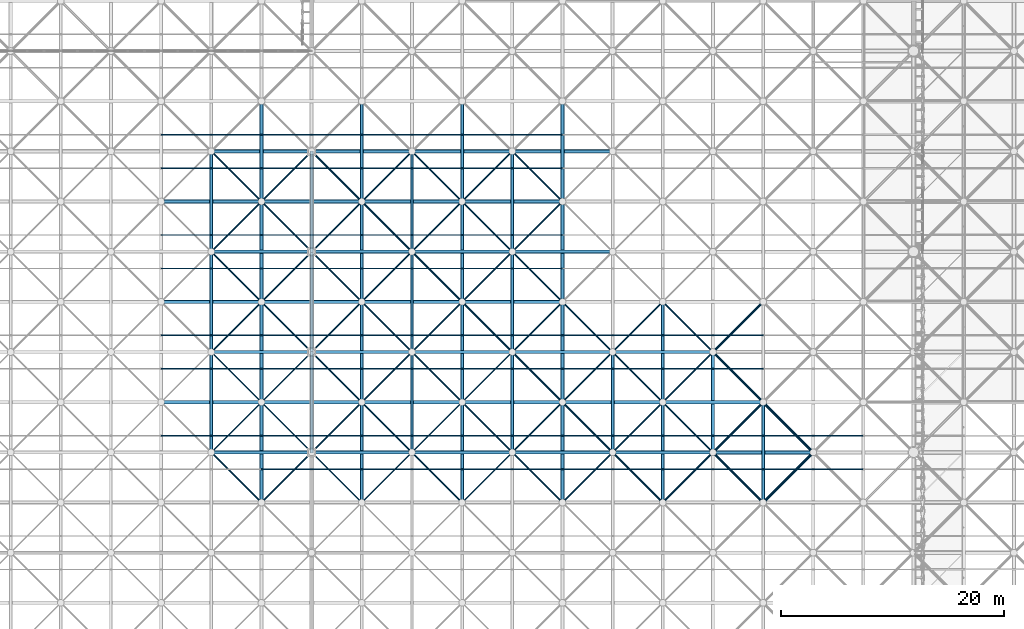
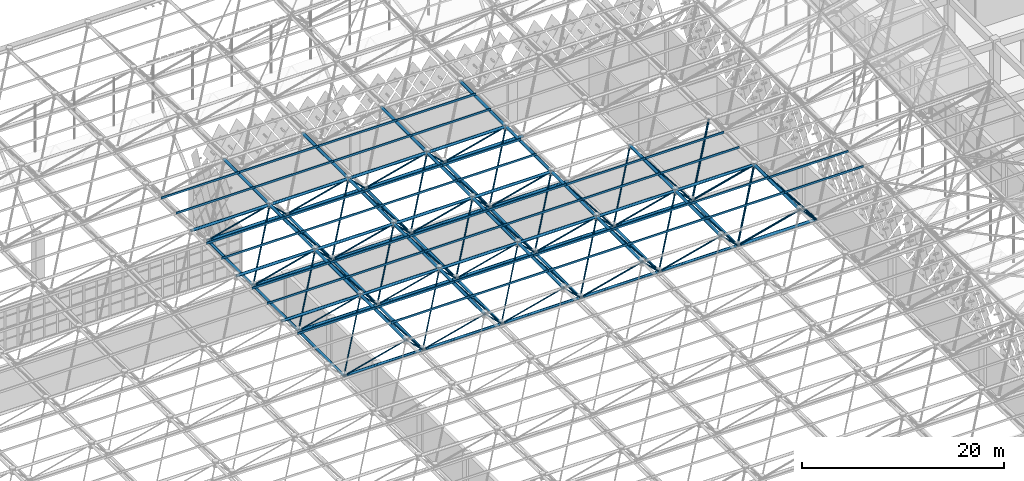
# One storey, part 95 of 437: 174 members.
"""IFC4 building model written with IfcOpenShell, lengths in metres."""

from ifc_helpers import new_model, si_unit, direction, frame, origin, origin_2d, place, context, subcontext, project, spatial, polyline, hollow_circle, outline, extrude, material, material_profile, profile_set, type_object, element, save


model = new_model("IFC4")

# Units and contexts
model_context = context("Model", 3, precision=1e-05, world=origin(), true_north=direction((0.0, 1.0)))
body_context = subcontext(model_context, "Body", "Model", "MODEL_VIEW")
ifc_project = project(units=[si_unit("LENGTHUNIT", "METRE"), si_unit("AREAUNIT", "SQUARE_METRE"), si_unit("VOLUMEUNIT", "CUBIC_METRE"), si_unit("PLANEANGLEUNIT", "RADIAN"), si_unit("MASSUNIT", "GRAM", prefix="KILO")], contexts=[model_context])

# Site, building, storey
site_placement = place(None, origin())
site = spatial("IfcSite", under=ifc_project, at=site_placement, CompositionType="ELEMENT")
building_placement = place(site_placement, origin())
building = spatial("IfcBuilding", under=site, at=building_placement, Name="Opaline Strait Convention Centre", CompositionType="ELEMENT")
storey_placement = place(building_placement, frame((0.0, 0.0, 11.5)))
storey = spatial("IfcBuildingStorey", under=building, at=storey_placement, Name="L02", CompositionType="ELEMENT", Elevation=11.5)

# Members
ifc_material = material(Name="Steel Q355B", Category="steel")
ifc_material_profile_1 = material_profile(ifc_material, outline(polyline([(-0.03759765625, -0.125), (0.03759765625, -0.125), (0.03759765625, -0.10498046875), (0.034912109375, -0.10498046875), (0.034912109375, -0.12255859375), (-0.034912109375, -0.12255859375), (-0.034912109375, 0.12255859375), (0.034912109375, 0.12255859375), (0.034912109375, 0.10498046875), (0.03759765625, 0.10498046875), (0.03759765625, 0.125), (-0.03759765625, 0.125), (-0.03759765625, -0.125)])), Name="C 250x75x20x2.5")
ifc_profile_set_1 = profile_set([ifc_material_profile_1], Name="Steel Q355B")
member_type_1 = type_object("IfcMemberType", Name="Roof purlin C 250x75x20x2.5", PredefinedType="PURLIN", material=ifc_profile_set_1)
for number, where, z_axis, x_axis, name in (
    (1, (193.5, 109.5, 18.257080078125), (1.0, 0.0, 0.0), (0.0, 1.0, 0.0), "EXB-RF-P-12-7-1"),
    (2, (202.5, 106.5, 18.257080078125), (1.0, 0.0, 0.0), (0.0, 1.0, 0.0), "EXB-RF-P-13-7-0"),
    (3, (202.5, 109.5, 18.257080078125), (1.0, 0.0, 0.0), (0.0, 1.0, 0.0), "EXB-RF-P-13-7-1"),
    (4, (211.5, 106.5, 18.257080078125), (1.0, 0.0, 0.0), (0.0, 1.0, 0.0), "EXB-RF-P-14-7-0"),
    (5, (211.5, 109.5, 18.257080078125), (1.0, 0.0, 0.0), (0.0, 1.0, 0.0), "EXB-RF-P-14-7-1"),
    (6, (220.5, 106.5, 18.257080078125), (1.0, 0.0, 0.0), (0.0, 1.0, 0.0), "EXB-RF-P-15-7-0"),
    (7, (220.5, 109.5, 18.257080078125), (1.0, 0.0, 0.0), (0.0, 1.0, 0.0), "EXB-RF-P-15-7-1"),
    (8, (229.5, 106.5, 18.257080078125), (1.0, 0.0, 0.0), (0.0, 1.0, 0.0), "EXB-RF-P-16-7-0"),
    (9, (229.5, 109.5, 18.257080078125), (1.0, 0.0, 0.0), (0.0, 1.0, 0.0), "EXB-RF-P-16-7-1"),
    (10, (238.5, 106.5, 18.257080078125), (1.0, 0.0, 0.0), (0.0, 1.0, 0.0), "EXB-RF-P-17-7-0"),
    (11, (238.5, 109.5, 18.257080078125), (1.0, 0.0, 0.0), (0.0, 1.0, 0.0), "EXB-RF-P-17-7-1"),
    (12, (247.5, 106.5, 18.257080078125), (1.0, 0.0, 0.0), (0.0, 1.0, 0.0), "EXB-RF-P-18-7-0"),
    (13, (247.5, 109.5, 18.257080078125), (1.0, 0.0, 0.0), (0.0, 1.0, 0.0), "EXB-RF-P-18-7-1"),
    (14, (193.5, 115.5, 18.257080078125), (1.0, 0.0, 0.0), (0.0, 1.0, 0.0), "EXB-RF-P-12-8-0"),
    (15, (193.5, 118.5, 18.257080078125), (1.0, 0.0, 0.0), (0.0, 1.0, 0.0), "EXB-RF-P-12-8-1"),
    (16, (202.5, 115.5, 18.257080078125), (1.0, 0.0, 0.0), (0.0, 1.0, 0.0), "EXB-RF-P-13-8-0"),
    (17, (202.5, 118.5, 18.257080078125), (1.0, 0.0, 0.0), (0.0, 1.0, 0.0), "EXB-RF-P-13-8-1"),
    (18, (211.5, 115.5, 18.257080078125), (1.0, 0.0, 0.0), (0.0, 1.0, 0.0), "EXB-RF-P-14-8-0"),
    (19, (211.5, 118.5, 18.257080078125), (1.0, 0.0, 0.0), (0.0, 1.0, 0.0), "EXB-RF-P-14-8-1"),
    (20, (220.5, 115.5, 18.257080078125), (1.0, 0.0, 0.0), (0.0, 1.0, 0.0), "EXB-RF-P-15-8-0"),
    (21, (220.5, 118.5, 18.257080078125), (1.0, 0.0, 0.0), (0.0, 1.0, 0.0), "EXB-RF-P-15-8-1"),
    (22, (229.5, 115.5, 18.257080078125), (1.0, 0.0, 0.0), (0.0, 1.0, 0.0), "EXB-RF-P-16-8-0"),
    (23, (229.5, 118.5, 18.257080078125), (1.0, 0.0, 0.0), (0.0, 1.0, 0.0), "EXB-RF-P-16-8-1"),
    (24, (238.5, 115.5, 18.257080078125), (1.0, 0.0, 0.0), (0.0, 1.0, 0.0), "EXB-RF-P-17-8-0"),
    (25, (238.5, 118.5, 18.257080078125), (1.0, 0.0, 0.0), (0.0, 1.0, 0.0), "EXB-RF-P-17-8-1"),
    (26, (193.5, 124.5, 18.257080078125), (1.0, 0.0, 0.0), (0.0, 1.0, 0.0), "EXB-RF-P-12-9-0"),
    (27, (193.5, 127.5, 18.257080078125), (1.0, 0.0, 0.0), (0.0, 1.0, 0.0), "EXB-RF-P-12-9-1"),
    (28, (202.5, 124.5, 18.257080078125), (1.0, 0.0, 0.0), (0.0, 1.0, 0.0), "EXB-RF-P-13-9-0"),
    (29, (202.5, 127.5, 18.257080078125), (1.0, 0.0, 0.0), (0.0, 1.0, 0.0), "EXB-RF-P-13-9-1"),
    (30, (211.5, 124.5, 18.257080078125), (1.0, 0.0, 0.0), (0.0, 1.0, 0.0), "EXB-RF-P-14-9-0"),
    (31, (211.5, 127.5, 18.257080078125), (1.0, 0.0, 0.0), (0.0, 1.0, 0.0), "EXB-RF-P-14-9-1"),
    (32, (220.5, 124.5, 18.257080078125), (1.0, 0.0, 0.0), (0.0, 1.0, 0.0), "EXB-RF-P-15-9-0"),
    (33, (220.5, 127.5, 18.257080078125), (1.0, 0.0, 0.0), (0.0, 1.0, 0.0), "EXB-RF-P-15-9-1"),
    (34, (193.5, 133.5, 18.257080078125), (1.0, 0.0, 0.0), (0.0, 1.0, 0.0), "EXB-RF-P-12-10-0"),
    (35, (193.5, 136.5, 18.257080078125), (1.0, 0.0, 0.0), (0.0, 1.0, 0.0), "EXB-RF-P-12-10-1"),
    (36, (202.5, 133.5, 18.257080078125), (1.0, 0.0, 0.0), (0.0, 1.0, 0.0), "EXB-RF-P-13-10-0"),
    (37, (202.5, 136.5, 18.257080078125), (1.0, 0.0, 0.0), (0.0, 1.0, 0.0), "EXB-RF-P-13-10-1"),
    (38, (211.5, 133.5, 18.257080078125), (1.0, 0.0, 0.0), (0.0, 1.0, 0.0), "EXB-RF-P-14-10-0"),
    (39, (211.5, 136.5, 18.257080078125), (1.0, 0.0, 0.0), (0.0, 1.0, 0.0), "EXB-RF-P-14-10-1"),
    (40, (220.5, 133.5, 18.257080078125), (1.0, 0.0, 0.0), (0.0, 1.0, 0.0), "EXB-RF-P-15-10-0"),
    (41, (220.5, 136.5, 18.257080078125), (1.0, 0.0, 0.0), (0.0, 1.0, 0.0), "EXB-RF-P-15-10-1"),
):
    element("IfcMember", number, at=place(storey_placement, frame(where, z_axis=z_axis, x_axis=x_axis)), inside=storey, type_object=member_type_1, Name=name, PredefinedType="PURLIN", context=body_context, shape_type="SweptSolid", body=[
        extrude(outline(polyline([(-0.03759765625, -0.125), (0.03759765625, -0.125), (0.03759765625, -0.10498046875), (0.034912109375, -0.10498046875), (0.034912109375, -0.12255859375), (-0.034912109375, -0.12255859375), (-0.034912109375, 0.12255859375), (0.034912109375, 0.12255859375), (0.034912109375, 0.10498046875), (0.03759765625, 0.10498046875), (0.03759765625, 0.125), (-0.03759765625, 0.125), (-0.03759765625, -0.125)])), origin(), (0.0, 0.0, 1.0), 9.0),
    ])
ifc_material_profile_2 = material_profile(ifc_material, hollow_circle(Radius=0.1494140625, WallThickness=0.010009765625, at=origin_2d()), Name="CHS 299x10")
ifc_profile_set_2 = profile_set([ifc_material_profile_2], Name="Steel Q355B")
member_type_2 = type_object("IfcMemberType", Name="Space frame bottom chord CHS 299x10", PredefinedType="CHORD", material=ifc_profile_set_2)
for number, where, z_axis, x_axis, name in (
    (42, (215.949951171875, 108.0, 12.5), (1.0, 0.0, 0.0), (0.0, 1.0, 0.0), "EXB-RF-BX-14-7"),
    (43, (224.949951171875, 108.0, 12.5), (1.0, 0.0, 0.0), (0.0, 1.0, 0.0), "EXB-RF-BX-15-7"),
    (44, (233.949951171875, 108.0, 12.5), (1.0, 0.0, 0.0), (0.0, 1.0, 0.0), "EXB-RF-BX-16-7"),
    (45, (215.949951171875, 117.0, 12.5), (1.0, 0.0, 0.0), (0.0, 1.0, 0.0), "EXB-RF-BX-14-8"),
    (46, (224.949951171875, 117.0, 12.5), (1.0, 0.0, 0.0), (0.0, 1.0, 0.0), "EXB-RF-BX-15-8"),
    (47, (233.949951171875, 117.0, 12.5), (1.0, 0.0, 0.0), (0.0, 1.0, 0.0), "EXB-RF-BX-16-8"),
    (48, (215.949951171875, 126.0, 12.5), (1.0, 0.0, 0.0), (0.0, 1.0, 0.0), "EXB-RF-BX-14-9"),
    (49, (224.949951171875, 126.0, 12.5), (1.0, 0.0, 0.0), (0.0, 1.0, 0.0), "EXB-RF-BX-15-9"),
    (50, (225.0, 107.949951171875, 12.5), (0.0, 1.0, 0.0), (-1.0, 0.0, 0.0), "EXB-RF-BY-15-7"),
    (51, (225.0, 116.949951171875, 12.5), (0.0, 1.0, 0.0), (-1.0, 0.0, 0.0), "EXB-RF-BY-15-8"),
    (52, (225.0, 125.949951171875, 12.5), (0.0, 1.0, 0.0), (-1.0, 0.0, 0.0), "EXB-RF-BY-15-9"),
    (53, (234.0, 107.949951171875, 12.5), (0.0, 1.0, 0.0), (-1.0, 0.0, 0.0), "EXB-RF-BY-16-7"),
):
    element("IfcMember", number, at=place(storey_placement, frame(where, z_axis=z_axis, x_axis=x_axis)), inside=storey, type_object=member_type_2, Name=name, PredefinedType="CHORD", context=body_context, shape_type="SweptSolid", body=[
        extrude(hollow_circle(Radius=0.1494140625, WallThickness=0.010009765625, at=origin_2d()), origin(), (0.0, 0.0, 1.0), 9.10009765625),
    ])
ifc_material_profile_3 = material_profile(ifc_material, hollow_circle(Radius=0.1494140625, WallThickness=0.01611328125, at=origin_2d()), Name="CHS 299x16")
ifc_profile_set_3 = profile_set([ifc_material_profile_3], Name="Steel Q355B")
member_type_3 = type_object("IfcMemberType", Name="Space frame bottom chord CHS 299x16", PredefinedType="CHORD", material=ifc_profile_set_3)
for number, where, z_axis, x_axis, name in (
    (54, (197.949951171875, 108.0, 12.5), (1.0, 0.0, 0.0), (0.0, 1.0, 0.0), "EXB-RF-BX-12-7"),
    (55, (206.949951171875, 108.0, 12.5), (1.0, 0.0, 0.0), (0.0, 1.0, 0.0), "EXB-RF-BX-13-7"),
    (56, (197.949951171875, 117.0, 12.5), (1.0, 0.0, 0.0), (0.0, 1.0, 0.0), "EXB-RF-BX-12-8"),
    (57, (206.949951171875, 117.0, 12.5), (1.0, 0.0, 0.0), (0.0, 1.0, 0.0), "EXB-RF-BX-13-8"),
    (58, (197.949951171875, 126.0, 12.5), (1.0, 0.0, 0.0), (0.0, 1.0, 0.0), "EXB-RF-BX-12-9"),
    (59, (206.949951171875, 126.0, 12.5), (1.0, 0.0, 0.0), (0.0, 1.0, 0.0), "EXB-RF-BX-13-9"),
    (60, (198.0, 107.949951171875, 12.5), (0.0, 1.0, 0.0), (-1.0, 0.0, 0.0), "EXB-RF-BY-12-7"),
    (61, (198.0, 116.949951171875, 12.5), (0.0, 1.0, 0.0), (-1.0, 0.0, 0.0), "EXB-RF-BY-12-8"),
    (62, (198.0, 125.949951171875, 12.5), (0.0, 1.0, 0.0), (-1.0, 0.0, 0.0), "EXB-RF-BY-12-9"),
    (63, (207.0, 107.949951171875, 12.5), (0.0, 1.0, 0.0), (-1.0, 0.0, 0.0), "EXB-RF-BY-13-7"),
    (64, (207.0, 116.949951171875, 12.5), (0.0, 1.0, 0.0), (-1.0, 0.0, 0.0), "EXB-RF-BY-13-8"),
    (65, (207.0, 125.949951171875, 12.5), (0.0, 1.0, 0.0), (-1.0, 0.0, 0.0), "EXB-RF-BY-13-9"),
    (66, (216.0, 107.949951171875, 12.5), (0.0, 1.0, 0.0), (-1.0, 0.0, 0.0), "EXB-RF-BY-14-7"),
    (67, (216.0, 116.949951171875, 12.5), (0.0, 1.0, 0.0), (-1.0, 0.0, 0.0), "EXB-RF-BY-14-8"),
    (68, (216.0, 125.949951171875, 12.5), (0.0, 1.0, 0.0), (-1.0, 0.0, 0.0), "EXB-RF-BY-14-9"),
):
    element("IfcMember", number, at=place(storey_placement, frame(where, z_axis=z_axis, x_axis=x_axis)), inside=storey, type_object=member_type_3, Name=name, PredefinedType="CHORD", context=body_context, shape_type="SweptSolid", body=[
        extrude(hollow_circle(Radius=0.1494140625, WallThickness=0.01611328125, at=origin_2d()), origin(), (0.0, 0.0, 1.0), 9.10009765625),
    ])
ifc_material_profile_4 = material_profile(ifc_material, hollow_circle(Radius=0.16259765625, WallThickness=0.013916015625, at=origin_2d()), Name="CHS 325x14")
ifc_profile_set_4 = profile_set([ifc_material_profile_4], Name="Steel Q355B")
member_type_4 = type_object("IfcMemberType", Name="Space frame bottom chord CHS 325x14", PredefinedType="CHORD", material=ifc_profile_set_4)
for number, where, z_axis, x_axis, name in (
    (69, (197.949951171875, 135.0, 12.5), (1.0, 0.0, 0.0), (0.0, 1.0, 0.0), "EXB-RF-BX-12-10"),
    (70, (206.949951171875, 135.0, 12.5), (1.0, 0.0, 0.0), (0.0, 1.0, 0.0), "EXB-RF-BX-13-10"),
    (71, (215.949951171875, 135.0, 12.5), (1.0, 0.0, 0.0), (0.0, 1.0, 0.0), "EXB-RF-BX-14-10"),
    (72, (224.949951171875, 135.0, 12.5), (1.0, 0.0, 0.0), (0.0, 1.0, 0.0), "EXB-RF-BX-15-10"),
    (73, (243.0, 107.949951171875, 12.5), (0.0, 1.0, 0.0), (-1.0, 0.0, 0.0), "EXB-RF-BY-17-7"),
):
    element("IfcMember", number, at=place(storey_placement, frame(where, z_axis=z_axis, x_axis=x_axis)), inside=storey, type_object=member_type_4, Name=name, PredefinedType="CHORD", context=body_context, shape_type="SweptSolid", body=[
        extrude(hollow_circle(Radius=0.16259765625, WallThickness=0.013916015625, at=origin_2d()), origin(), (0.0, 0.0, 1.0), 9.10009765625),
    ])
ifc_material_profile_5 = material_profile(ifc_material, hollow_circle(Radius=0.175537109375, WallThickness=0.01611328125, at=origin_2d()), Name="CHS 351x16")
ifc_profile_set_5 = profile_set([ifc_material_profile_5], Name="Steel Q355B")
member_type_5 = type_object("IfcMemberType", Name="Space frame bottom chord CHS 351x16", PredefinedType="CHORD", material=ifc_profile_set_5)
member_1_placement = place(storey_placement, frame((242.949951171875, 108.0, 12.5), z_axis=(1.0, 0.0, 0.0), x_axis=(0.0, 1.0, 0.0)))
element("IfcMember", 74, at=member_1_placement, inside=storey, type_object=member_type_5, Name="EXB-RF-BX-17-7", PredefinedType="CHORD", context=body_context, shape_type="SweptSolid", body=[
    extrude(hollow_circle(Radius=0.175537109375, WallThickness=0.01611328125, at=origin_2d()), origin(), (0.0, 0.0, 1.0), 9.10009765625),
])
ifc_material_profile_6 = material_profile(ifc_material, hollow_circle(Radius=0.16259765625, WallThickness=0.010009765625, at=origin_2d()), Name="CHS 325x10")
ifc_profile_set_6 = profile_set([ifc_material_profile_6], Name="Steel Q355B")
member_type_6 = type_object("IfcMemberType", Name="Space frame top chord CHS 325x10", PredefinedType="CHORD", material=ifc_profile_set_6)
for number, where, z_axis, x_axis, name in (
    (75, (193.449951171875, 112.5, 17.971435546875), (1.0, 0.0, 0.0), (0.0, 1.0, 0.0), "EXB-RF-TX-12-8"),
    (76, (202.449951171875, 112.5, 17.971435546875), (1.0, 0.0, 0.0), (0.0, 1.0, 0.0), "EXB-RF-TX-13-8"),
    (77, (211.449951171875, 112.5, 17.971435546875), (1.0, 0.0, 0.0), (0.0, 1.0, 0.0), "EXB-RF-TX-14-8"),
    (78, (220.449951171875, 112.5, 17.971435546875), (1.0, 0.0, 0.0), (0.0, 1.0, 0.0), "EXB-RF-TX-15-8"),
    (79, (229.449951171875, 112.5, 17.971435546875), (1.0, 0.0, 0.0), (0.0, 1.0, 0.0), "EXB-RF-TX-16-8"),
    (80, (193.449951171875, 121.5, 17.971435546875), (1.0, 0.0, 0.0), (0.0, 1.0, 0.0), "EXB-RF-TX-12-9"),
    (81, (202.449951171875, 121.5, 17.971435546875), (1.0, 0.0, 0.0), (0.0, 1.0, 0.0), "EXB-RF-TX-13-9"),
    (82, (211.449951171875, 121.5, 17.971435546875), (1.0, 0.0, 0.0), (0.0, 1.0, 0.0), "EXB-RF-TX-14-9"),
    (83, (220.449951171875, 121.5, 17.971435546875), (1.0, 0.0, 0.0), (0.0, 1.0, 0.0), "EXB-RF-TX-15-9"),
    (84, (193.449951171875, 130.5, 17.971435546875), (1.0, 0.0, 0.0), (0.0, 1.0, 0.0), "EXB-RF-TX-12-10"),
    (85, (202.449951171875, 130.5, 17.971435546875), (1.0, 0.0, 0.0), (0.0, 1.0, 0.0), "EXB-RF-TX-13-10"),
    (86, (211.449951171875, 130.5, 17.971435546875), (1.0, 0.0, 0.0), (0.0, 1.0, 0.0), "EXB-RF-TX-14-10"),
    (87, (220.449951171875, 130.5, 17.971435546875), (1.0, 0.0, 0.0), (0.0, 1.0, 0.0), "EXB-RF-TX-15-10"),
    (88, (202.5, 103.449951171875, 17.971435546875), (0.0, 1.0, 0.0), (-1.0, 0.0, 0.0), "EXB-RF-TY-13-7"),
    (89, (202.5, 112.449951171875, 17.971435546875), (0.0, 1.0, 0.0), (-1.0, 0.0, 0.0), "EXB-RF-TY-13-8"),
    (90, (202.5, 121.449951171875, 17.971435546875), (0.0, 1.0, 0.0), (-1.0, 0.0, 0.0), "EXB-RF-TY-13-9"),
    (91, (211.5, 103.449951171875, 17.971435546875), (0.0, 1.0, 0.0), (-1.0, 0.0, 0.0), "EXB-RF-TY-14-7"),
    (92, (211.5, 112.449951171875, 17.971435546875), (0.0, 1.0, 0.0), (-1.0, 0.0, 0.0), "EXB-RF-TY-14-8"),
    (93, (211.5, 121.449951171875, 17.971435546875), (0.0, 1.0, 0.0), (-1.0, 0.0, 0.0), "EXB-RF-TY-14-9"),
    (94, (220.5, 103.449951171875, 17.971435546875), (0.0, 1.0, 0.0), (-1.0, 0.0, 0.0), "EXB-RF-TY-15-7"),
    (95, (220.5, 112.449951171875, 17.971435546875), (0.0, 1.0, 0.0), (-1.0, 0.0, 0.0), "EXB-RF-TY-15-8"),
    (96, (220.5, 121.449951171875, 17.971435546875), (0.0, 1.0, 0.0), (-1.0, 0.0, 0.0), "EXB-RF-TY-15-9"),
    (97, (229.5, 103.449951171875, 17.971435546875), (0.0, 1.0, 0.0), (-1.0, 0.0, 0.0), "EXB-RF-TY-16-7"),
    (98, (229.5, 112.449951171875, 17.971435546875), (0.0, 1.0, 0.0), (-1.0, 0.0, 0.0), "EXB-RF-TY-16-8"),
    (99, (229.5, 121.449951171875, 17.971435546875), (0.0, 1.0, 0.0), (-1.0, 0.0, 0.0), "EXB-RF-TY-16-9"),
    (100, (238.5, 103.449951171875, 17.971435546875), (0.0, 1.0, 0.0), (-1.0, 0.0, 0.0), "EXB-RF-TY-17-7"),
    (101, (238.5, 112.449951171875, 17.971435546875), (0.0, 1.0, 0.0), (-1.0, 0.0, 0.0), "EXB-RF-TY-17-8"),
):
    element("IfcMember", number, at=place(storey_placement, frame(where, z_axis=z_axis, x_axis=x_axis)), inside=storey, type_object=member_type_6, Name=name, PredefinedType="CHORD", context=body_context, shape_type="SweptSolid", body=[
        extrude(hollow_circle(Radius=0.16259765625, WallThickness=0.010009765625, at=origin_2d()), origin(), (0.0, 0.0, 1.0), 9.10009765625),
    ])
ifc_material_profile_7 = material_profile(ifc_material, hollow_circle(Radius=0.16259765625, WallThickness=0.013916015625, at=origin_2d()), Name="CHS 325x14")
ifc_profile_set_7 = profile_set([ifc_material_profile_7], Name="Steel Q355B")
member_type_7 = type_object("IfcMemberType", Name="Space frame top chord CHS 325x14", PredefinedType="CHORD", material=ifc_profile_set_7)
for number, where, z_axis, x_axis, name in (
    (102, (238.449951171875, 112.5, 17.971435546875), (1.0, 0.0, 0.0), (0.0, 1.0, 0.0), "EXB-RF-TX-17-8"),
    (103, (202.5, 130.449951171875, 17.971435546875), (0.0, 1.0, 0.0), (-1.0, 0.0, 0.0), "EXB-RF-TY-13-10"),
    (104, (211.5, 130.449951171875, 17.971435546875), (0.0, 1.0, 0.0), (-1.0, 0.0, 0.0), "EXB-RF-TY-14-10"),
    (105, (220.5, 130.449951171875, 17.971435546875), (0.0, 1.0, 0.0), (-1.0, 0.0, 0.0), "EXB-RF-TY-15-10"),
    (106, (229.5, 130.449951171875, 17.971435546875), (0.0, 1.0, 0.0), (-1.0, 0.0, 0.0), "EXB-RF-TY-16-10"),
):
    element("IfcMember", number, at=place(storey_placement, frame(where, z_axis=z_axis, x_axis=x_axis)), inside=storey, type_object=member_type_7, Name=name, PredefinedType="CHORD", context=body_context, shape_type="SweptSolid", body=[
        extrude(hollow_circle(Radius=0.16259765625, WallThickness=0.013916015625, at=origin_2d()), origin(), (0.0, 0.0, 1.0), 9.10009765625),
    ])
ifc_material_profile_8 = material_profile(ifc_material, hollow_circle(Radius=0.16259765625, WallThickness=0.02001953125, at=origin_2d()), Name="CHS 325x20")
ifc_profile_set_8 = profile_set([ifc_material_profile_8], Name="Steel Q355B")
member_type_8 = type_object("IfcMemberType", Name="Space frame top chord CHS 325x20", PredefinedType="CHORD", material=ifc_profile_set_8)
member_2_placement = place(storey_placement, frame((247.5, 103.449951171875, 17.971435546875), z_axis=(0.0, 1.0, 0.0), x_axis=(-1.0, 0.0, 0.0)))
element("IfcMember", 107, at=member_2_placement, inside=storey, type_object=member_type_8, Name="EXB-RF-TY-18-7", PredefinedType="CHORD", context=body_context, shape_type="SweptSolid", body=[
    extrude(hollow_circle(Radius=0.16259765625, WallThickness=0.02001953125, at=origin_2d()), origin(), (0.0, 0.0, 1.0), 9.10009765625),
])
ifc_material_profile_9 = material_profile(ifc_material, hollow_circle(Radius=0.070068359375, WallThickness=0.0048828125, at=origin_2d()), Name="CHS 140x5")
ifc_profile_set_9 = profile_set([ifc_material_profile_9], Name="Steel Q355B")
member_type_9 = type_object("IfcMemberType", Name="Space frame web CHS 140x5", PredefinedType="BRACE", material=ifc_profile_set_9)
for number, where, z_axis, x_axis, name in (
    (108, (202.52685546875, 103.47314453125, 18.004150390625), (-0.536178220346, 0.536178220346, -0.6519400525), (-0.707106781187, -0.707106781187, 0.0), "EXB-RF-W-12-7-10"),
    (109, (202.52685546875, 112.52685546875, 18.004150390625), (-0.536178220346, -0.536178220346, -0.6519400525), (0.707106781187, -0.707106781187, 0.0), "EXB-RF-W-12-7-11"),
    (110, (202.52685546875, 112.47314453125, 18.004150390625), (-0.536178220346, 0.536178220346, -0.6519400525), (-0.707106781187, -0.707106781187, 0.0), "EXB-RF-W-12-8-10"),
    (111, (202.47314453125, 103.47314453125, 18.004150390625), (0.536178220346, 0.536178220346, -0.6519400525), (-0.707106781187, 0.707106781187, 0.0), "EXB-RF-W-13-7-00"),
    (112, (202.47314453125, 112.52685546875, 18.004150390625), (0.536178220346, -0.536178220346, -0.6519400525), (0.707106781187, 0.707106781187, 0.0), "EXB-RF-W-13-7-01"),
    (113, (211.52685546875, 103.47314453125, 18.004150390625), (-0.536178220346, 0.536178220346, -0.6519400525), (-0.707106781187, -0.707106781187, 0.0), "EXB-RF-W-13-7-10"),
    (114, (211.52685546875, 112.52685546875, 18.004150390625), (-0.536178220346, -0.536178220346, -0.6519400525), (0.707106781187, -0.707106781187, 0.0), "EXB-RF-W-13-7-11"),
    (115, (202.47314453125, 112.47314453125, 18.004150390625), (0.536178220346, 0.536178220346, -0.6519400525), (-0.707106781187, 0.707106781187, 0.0), "EXB-RF-W-13-8-00"),
    (116, (211.52685546875, 112.47314453125, 18.004150390625), (-0.536178220346, 0.536178220346, -0.6519400525), (-0.707106781187, -0.707106781187, 0.0), "EXB-RF-W-13-8-10"),
    (117, (211.47314453125, 103.47314453125, 18.004150390625), (0.536178220346, 0.536178220346, -0.6519400525), (-0.707106781187, 0.707106781187, 0.0), "EXB-RF-W-14-7-00"),
    (118, (211.47314453125, 112.52685546875, 18.004150390625), (0.536178220346, -0.536178220346, -0.6519400525), (0.707106781187, 0.707106781187, 0.0), "EXB-RF-W-14-7-01"),
    (119, (220.52685546875, 103.47314453125, 18.004150390625), (-0.536178220346, 0.536178220346, -0.6519400525), (-0.707106781187, -0.707106781187, 0.0), "EXB-RF-W-14-7-10"),
    (120, (220.52685546875, 112.52685546875, 18.004150390625), (-0.536178220346, -0.536178220346, -0.6519400525), (0.707106781187, -0.707106781187, 0.0), "EXB-RF-W-14-7-11"),
    (121, (211.47314453125, 112.47314453125, 18.004150390625), (0.536178220346, 0.536178220346, -0.6519400525), (-0.707106781187, 0.707106781187, 0.0), "EXB-RF-W-14-8-00"),
    (122, (220.52685546875, 112.47314453125, 18.004150390625), (-0.536178220346, 0.536178220346, -0.6519400525), (-0.707106781187, -0.707106781187, 0.0), "EXB-RF-W-14-8-10"),
    (123, (220.47314453125, 103.47314453125, 18.004150390625), (0.536178220346, 0.536178220346, -0.6519400525), (-0.707106781187, 0.707106781187, 0.0), "EXB-RF-W-15-7-00"),
    (124, (220.47314453125, 112.52685546875, 18.004150390625), (0.536178220346, -0.536178220346, -0.6519400525), (0.707106781187, 0.707106781187, 0.0), "EXB-RF-W-15-7-01"),
    (125, (220.47314453125, 112.47314453125, 18.004150390625), (0.536178220346, 0.536178220346, -0.6519400525), (-0.707106781187, 0.707106781187, 0.0), "EXB-RF-W-15-8-00"),
):
    element("IfcMember", number, at=place(storey_placement, frame(where, z_axis=z_axis, x_axis=x_axis)), inside=storey, type_object=member_type_9, Name=name, PredefinedType="BRACE", context=body_context, shape_type="SweptSolid", body=[
        extrude(hollow_circle(Radius=0.070068359375, WallThickness=0.0048828125, at=origin_2d()), origin(), (0.0, 0.0, 1.0), 8.492919921875),
    ])
ifc_material_profile_10 = material_profile(ifc_material, hollow_circle(Radius=0.083984375, WallThickness=0.008056640625, at=origin_2d()), Name="CHS 168x8")
ifc_profile_set_10 = profile_set([ifc_material_profile_10], Name="Steel Q355B")
member_type_10 = type_object("IfcMemberType", Name="Space frame web CHS 168x8", PredefinedType="BRACE", material=ifc_profile_set_10)
for number, where, z_axis, x_axis, name in (
    (126, (202.52685546875, 121.52685546875, 18.004150390625), (-0.536178220346, -0.536178220346, -0.6519400525), (0.707106781187, -0.707106781187, 0.0), "EXB-RF-W-12-8-11"),
    (127, (202.52685546875, 121.47314453125, 18.004150390625), (-0.536178220346, 0.536178220346, -0.6519400525), (-0.707106781187, -0.707106781187, 0.0), "EXB-RF-W-12-9-10"),
    (128, (202.52685546875, 130.52685546875, 18.004150390625), (-0.536178220346, -0.536178220346, -0.6519400525), (0.707106781187, -0.707106781187, 0.0), "EXB-RF-W-12-9-11"),
    (129, (202.52685546875, 130.47314453125, 18.004150390625), (-0.536178220346, 0.536178220346, -0.6519400525), (-0.707106781187, -0.707106781187, 0.0), "EXB-RF-W-12-10-10"),
    (130, (202.47314453125, 121.52685546875, 18.004150390625), (0.536178220346, -0.536178220346, -0.6519400525), (0.707106781187, 0.707106781187, 0.0), "EXB-RF-W-13-8-01"),
    (131, (211.52685546875, 121.52685546875, 18.004150390625), (-0.536178220346, -0.536178220346, -0.6519400525), (0.707106781187, -0.707106781187, 0.0), "EXB-RF-W-13-8-11"),
    (132, (202.47314453125, 121.47314453125, 18.004150390625), (0.536178220346, 0.536178220346, -0.6519400525), (-0.707106781187, 0.707106781187, 0.0), "EXB-RF-W-13-9-00"),
    (133, (202.47314453125, 130.52685546875, 18.004150390625), (0.536178220346, -0.536178220346, -0.6519400525), (0.707106781187, 0.707106781187, 0.0), "EXB-RF-W-13-9-01"),
    (134, (211.52685546875, 121.47314453125, 18.004150390625), (-0.536178220346, 0.536178220346, -0.6519400525), (-0.707106781187, -0.707106781187, 0.0), "EXB-RF-W-13-9-10"),
    (135, (211.52685546875, 130.52685546875, 18.004150390625), (-0.536178220346, -0.536178220346, -0.6519400525), (0.707106781187, -0.707106781187, 0.0), "EXB-RF-W-13-9-11"),
    (136, (202.47314453125, 130.47314453125, 18.004150390625), (0.536178220346, 0.536178220346, -0.6519400525), (-0.707106781187, 0.707106781187, 0.0), "EXB-RF-W-13-10-00"),
    (137, (211.52685546875, 130.47314453125, 18.004150390625), (-0.536178220346, 0.536178220346, -0.6519400525), (-0.707106781187, -0.707106781187, 0.0), "EXB-RF-W-13-10-10"),
    (138, (211.47314453125, 121.52685546875, 18.004150390625), (0.536178220346, -0.536178220346, -0.6519400525), (0.707106781187, 0.707106781187, 0.0), "EXB-RF-W-14-8-01"),
    (139, (220.52685546875, 121.52685546875, 18.004150390625), (-0.536178220346, -0.536178220346, -0.6519400525), (0.707106781187, -0.707106781187, 0.0), "EXB-RF-W-14-8-11"),
    (140, (211.47314453125, 121.47314453125, 18.004150390625), (0.536178220346, 0.536178220346, -0.6519400525), (-0.707106781187, 0.707106781187, 0.0), "EXB-RF-W-14-9-00"),
    (141, (211.47314453125, 130.52685546875, 18.004150390625), (0.536178220346, -0.536178220346, -0.6519400525), (0.707106781187, 0.707106781187, 0.0), "EXB-RF-W-14-9-01"),
    (142, (220.52685546875, 121.47314453125, 18.004150390625), (-0.536178220346, 0.536178220346, -0.6519400525), (-0.707106781187, -0.707106781187, 0.0), "EXB-RF-W-14-9-10"),
    (143, (220.52685546875, 130.52685546875, 18.004150390625), (-0.536178220346, -0.536178220346, -0.6519400525), (0.707106781187, -0.707106781187, 0.0), "EXB-RF-W-14-9-11"),
    (144, (211.47314453125, 130.47314453125, 18.004150390625), (0.536178220346, 0.536178220346, -0.6519400525), (-0.707106781187, 0.707106781187, 0.0), "EXB-RF-W-14-10-00"),
    (145, (220.52685546875, 130.47314453125, 18.004150390625), (-0.536178220346, 0.536178220346, -0.6519400525), (-0.707106781187, -0.707106781187, 0.0), "EXB-RF-W-14-10-10"),
    (146, (229.52685546875, 103.47314453125, 18.004150390625), (-0.536178220346, 0.536178220346, -0.6519400525), (-0.707106781187, -0.707106781187, 0.0), "EXB-RF-W-15-7-10"),
    (147, (229.52685546875, 112.52685546875, 18.004150390625), (-0.536178220346, -0.536178220346, -0.6519400525), (0.707106781187, -0.707106781187, 0.0), "EXB-RF-W-15-7-11"),
    (148, (220.47314453125, 121.52685546875, 18.004150390625), (0.536178220346, -0.536178220346, -0.6519400525), (0.707106781187, 0.707106781187, 0.0), "EXB-RF-W-15-8-01"),
    (149, (229.52685546875, 112.47314453125, 18.004150390625), (-0.536178220346, 0.536178220346, -0.6519400525), (-0.707106781187, -0.707106781187, 0.0), "EXB-RF-W-15-8-10"),
    (150, (229.52685546875, 121.52685546875, 18.004150390625), (-0.536178220346, -0.536178220346, -0.6519400525), (0.707106781187, -0.707106781187, 0.0), "EXB-RF-W-15-8-11"),
    (151, (220.47314453125, 121.47314453125, 18.004150390625), (0.536178220346, 0.536178220346, -0.6519400525), (-0.707106781187, 0.707106781187, 0.0), "EXB-RF-W-15-9-00"),
    (152, (220.47314453125, 130.52685546875, 18.004150390625), (0.536178220346, -0.536178220346, -0.6519400525), (0.707106781187, 0.707106781187, 0.0), "EXB-RF-W-15-9-01"),
    (153, (229.52685546875, 121.47314453125, 18.004150390625), (-0.536178220346, 0.536178220346, -0.6519400525), (-0.707106781187, -0.707106781187, 0.0), "EXB-RF-W-15-9-10"),
    (154, (229.52685546875, 130.52685546875, 18.004150390625), (-0.536178220346, -0.536178220346, -0.6519400525), (0.707106781187, -0.707106781187, 0.0), "EXB-RF-W-15-9-11"),
    (155, (220.47314453125, 130.47314453125, 18.004150390625), (0.536178220346, 0.536178220346, -0.6519400525), (-0.707106781187, 0.707106781187, 0.0), "EXB-RF-W-15-10-00"),
    (156, (229.52685546875, 130.47314453125, 18.004150390625), (-0.536178220346, 0.536178220346, -0.6519400525), (-0.707106781187, -0.707106781187, 0.0), "EXB-RF-W-15-10-10"),
    (157, (229.47314453125, 103.47314453125, 18.004150390625), (0.536178220346, 0.536178220346, -0.6519400525), (-0.707106781187, 0.707106781187, 0.0), "EXB-RF-W-16-7-00"),
    (158, (229.47314453125, 112.52685546875, 18.004150390625), (0.536178220346, -0.536178220346, -0.6519400525), (0.707106781187, 0.707106781187, 0.0), "EXB-RF-W-16-7-01"),
    (159, (238.52685546875, 103.47314453125, 18.004150390625), (-0.536178220346, 0.536178220346, -0.6519400525), (-0.707106781187, -0.707106781187, 0.0), "EXB-RF-W-16-7-10"),
    (160, (238.52685546875, 112.52685546875, 18.004150390625), (-0.536178220346, -0.536178220346, -0.6519400525), (0.707106781187, -0.707106781187, 0.0), "EXB-RF-W-16-7-11"),
    (161, (229.47314453125, 112.47314453125, 18.004150390625), (0.536178220346, 0.536178220346, -0.6519400525), (-0.707106781187, 0.707106781187, 0.0), "EXB-RF-W-16-8-00"),
    (162, (229.47314453125, 121.52685546875, 18.004150390625), (0.536178220346, -0.536178220346, -0.6519400525), (0.707106781187, 0.707106781187, 0.0), "EXB-RF-W-16-8-01"),
    (163, (238.52685546875, 112.47314453125, 18.004150390625), (-0.536178220346, 0.536178220346, -0.6519400525), (-0.707106781187, -0.707106781187, 0.0), "EXB-RF-W-16-8-10"),
    (164, (238.52685546875, 121.52685546875, 18.004150390625), (-0.536178220346, -0.536178220346, -0.6519400525), (0.707106781187, -0.707106781187, 0.0), "EXB-RF-W-16-8-11"),
    (165, (238.47314453125, 103.47314453125, 18.004150390625), (0.536178220346, 0.536178220346, -0.6519400525), (-0.707106781187, 0.707106781187, 0.0), "EXB-RF-W-17-7-00"),
    (166, (238.47314453125, 112.52685546875, 18.004150390625), (0.536178220346, -0.536178220346, -0.6519400525), (0.707106781187, 0.707106781187, 0.0), "EXB-RF-W-17-7-01"),
    (167, (238.47314453125, 112.47314453125, 18.004150390625), (0.536178220346, 0.536178220346, -0.6519400525), (-0.707106781187, 0.707106781187, 0.0), "EXB-RF-W-17-8-00"),
    (168, (238.47314453125, 121.52685546875, 18.004150390625), (0.536178220346, -0.536178220346, -0.6519400525), (0.707106781187, 0.707106781187, 0.0), "EXB-RF-W-17-8-01"),
):
    element("IfcMember", number, at=place(storey_placement, frame(where, z_axis=z_axis, x_axis=x_axis)), inside=storey, type_object=member_type_10, Name=name, PredefinedType="BRACE", context=body_context, shape_type="SweptSolid", body=[
        extrude(hollow_circle(Radius=0.083984375, WallThickness=0.008056640625, at=origin_2d()), origin(), (0.0, 0.0, 1.0), 8.492919921875),
    ])
ifc_material_profile_11 = material_profile(ifc_material, hollow_circle(Radius=0.109619140625, WallThickness=0.010009765625, at=origin_2d()), Name="CHS 219x10")
ifc_profile_set_11 = profile_set([ifc_material_profile_11], Name="Steel Q355B")
member_type_11 = type_object("IfcMemberType", Name="Space frame web CHS 219x10", PredefinedType="BRACE", material=ifc_profile_set_11)
for number, where, z_axis, x_axis, name in (
    (169, (247.52685546875, 103.47314453125, 18.004150390625), (-0.536178220346, 0.536178220346, -0.6519400525), (-0.707106781187, -0.707106781187, 0.0), "EXB-RF-W-17-7-10"),
    (170, (247.52685546875, 112.52685546875, 18.004150390625), (-0.536178220346, -0.536178220346, -0.6519400525), (0.707106781187, -0.707106781187, 0.0), "EXB-RF-W-17-7-11"),
    (171, (247.52685546875, 112.47314453125, 18.004150390625), (-0.536178220346, 0.536178220346, -0.6519400525), (-0.707106781187, -0.707106781187, 0.0), "EXB-RF-W-17-8-10"),
    (172, (247.52685546875, 121.52685546875, 18.004150390625), (-0.536178220346, -0.536178220346, -0.6519400525), (0.707106781187, -0.707106781187, 0.0), "EXB-RF-W-17-8-11"),
):
    element("IfcMember", number, at=place(storey_placement, frame(where, z_axis=z_axis, x_axis=x_axis)), inside=storey, type_object=member_type_11, Name=name, PredefinedType="BRACE", context=body_context, shape_type="SweptSolid", body=[
        extrude(hollow_circle(Radius=0.109619140625, WallThickness=0.010009765625, at=origin_2d()), origin(), (0.0, 0.0, 1.0), 8.492919921875),
    ])
ifc_material_profile_12 = material_profile(ifc_material, hollow_circle(Radius=0.12255859375, WallThickness=0.011962890625, at=origin_2d()), Name="CHS 245x12")
ifc_profile_set_12 = profile_set([ifc_material_profile_12], Name="Steel Q355B")
member_type_12 = type_object("IfcMemberType", Name="Space frame web CHS 245x12", PredefinedType="BRACE", material=ifc_profile_set_12)
for number, where, z_axis, x_axis, name in (
    (173, (247.47314453125, 103.47314453125, 18.004150390625), (0.536178220346, 0.536178220346, -0.6519400525), (-0.707106781187, 0.707106781187, 0.0), "EXB-RF-W-18-7-00"),
    (174, (247.47314453125, 112.52685546875, 18.004150390625), (0.536178220346, -0.536178220346, -0.6519400525), (0.707106781187, 0.707106781187, 0.0), "EXB-RF-W-18-7-01"),
):
    element("IfcMember", number, at=place(storey_placement, frame(where, z_axis=z_axis, x_axis=x_axis)), inside=storey, type_object=member_type_12, Name=name, PredefinedType="BRACE", context=body_context, shape_type="SweptSolid", body=[
        extrude(hollow_circle(Radius=0.12255859375, WallThickness=0.011962890625, at=origin_2d()), origin(), (0.0, 0.0, 1.0), 8.492919921875),
    ])

save(model, "model.ifc")
